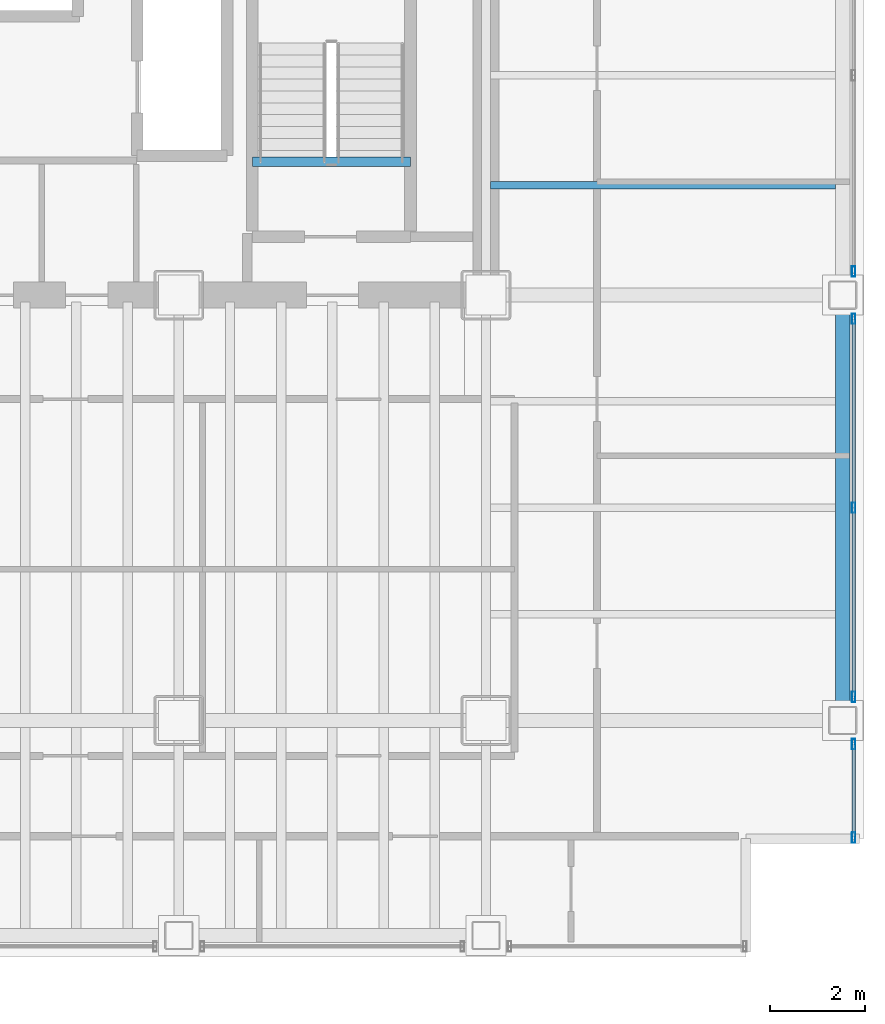
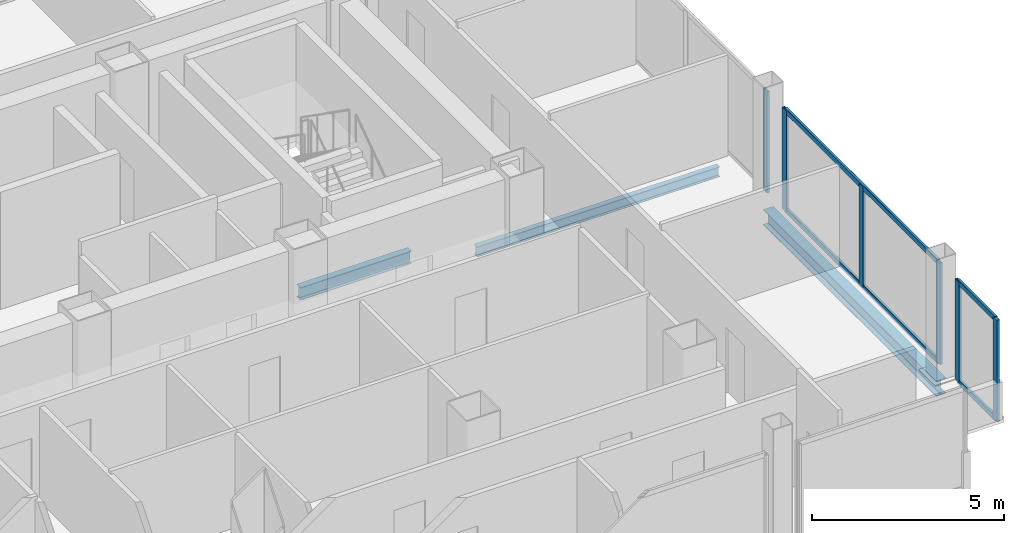
# One storey, part 11 of 21: 10 members, 3 beams, 3 elements without a shape of their own.
"""IFC4 building model written with IfcOpenShell, lengths in metres."""

from ifc_helpers import new_model, si_unit, direction, frame, origin, origin_2d, place, context, subcontext, project, spatial, hollow_rectangle, i_section, extrude, material, material_profile, profile_set, type_object, element, aggregate, save


model = new_model("IFC4")

# Units and contexts
model_context = context("Model", 3, precision=1e-05, world=origin(), true_north=direction((0.0, 1.0)))
body_context = subcontext(model_context, "Body", "Model", "MODEL_VIEW")
ifc_project = project(units=[si_unit("LENGTHUNIT", "METRE"), si_unit("AREAUNIT", "SQUARE_METRE"), si_unit("VOLUMEUNIT", "CUBIC_METRE"), si_unit("PLANEANGLEUNIT", "RADIAN"), si_unit("MASSUNIT", "GRAM", prefix="KILO")], contexts=[model_context])

# Site, building, storey
site_placement = place(None, origin())
site = spatial("IfcSite", under=ifc_project, at=site_placement, CompositionType="ELEMENT")
building_placement = place(site_placement, origin())
building = spatial("IfcBuilding", under=site, at=building_placement, Name="Noeulbin Bourse Tower", CompositionType="ELEMENT")
storey_placement = place(building_placement, frame((0.0, 0.0, 46.0)))
storey = spatial("IfcBuildingStorey", under=building, at=storey_placement, Name="L11", CompositionType="ELEMENT", Elevation=46.0)

# Beams
ifc_material_1 = material(Name="Steel S355", Category="steel")
ifc_material_profile_1 = material_profile(ifc_material_1, i_section(OverallWidth=0.159912109375, OverallDepth=0.320068359375, WebThickness=0.006591796875, FlangeThickness=0.010009765625, FilletRadius=0.012939453125, at=origin_2d()), Name="H-320x160x6.5x10", Category="LoadBearing")
ifc_profile_set_1 = profile_set([ifc_material_profile_1], Name="Steel S355")
beam_type_1 = type_object("IfcBeamType", Name="BM-JST-320", PredefinedType="JOIST", material=ifc_profile_set_1)
beam_1_placement = place(storey_placement, frame((44.10009765625, 31.324951171875, -0.340087890625), z_axis=(1.0, 0.0, 0.0), x_axis=(0.0, 1.0, 0.0)))
element("IfcBeam", 1, at=beam_1_placement, inside=storey, type_object=beam_type_1, Name="Wing Composite Joist L11-E79", PredefinedType="JOIST", context=body_context, shape_type="SweptSolid", body=[
    extrude(i_section(OverallWidth=0.159912109375, OverallDepth=0.320068359375, WebThickness=0.006591796875, FlangeThickness=0.010009765625, FilletRadius=0.012939453125, at=origin_2d()), origin(), (0.0, 0.0, 1.0), 7.2998046875),
])
ifc_material_profile_2 = material_profile(ifc_material_1, i_section(OverallWidth=0.199951171875, OverallDepth=0.39990234375, WebThickness=0.008056640625, FlangeThickness=0.012939453125, FilletRadius=0.01611328125, at=origin_2d()), Name="H-400x200x8x13", Category="LoadBearing")
ifc_profile_set_2 = profile_set([ifc_material_profile_2], Name="Steel S355")
beam_type_2 = type_object("IfcBeamType", Name="BM-SEC-400", PredefinedType="BEAM", material=ifc_profile_set_2)
beam_2_placement = place(storey_placement, frame((39.06005859375, 31.820068359375, -0.199951171875), z_axis=(1.0, 0.0, 0.0), x_axis=(0.0, 1.0, 0.0)))
element("IfcBeam", 2, at=beam_2_placement, inside=storey, type_object=beam_type_2, Name="Stair Threshold Trimmer Beam ST2-L11", PredefinedType="BEAM", context=body_context, shape_type="SweptSolid", body=[
    extrude(i_section(OverallWidth=0.199951171875, OverallDepth=0.39990234375, WebThickness=0.008056640625, FlangeThickness=0.012939453125, FilletRadius=0.01611328125, at=origin_2d()), origin(), (0.0, 0.0, 1.0), 3.33984375),
])
ifc_material_profile_3 = material_profile(ifc_material_1, i_section(OverallWidth=0.300048828125, OverallDepth=0.488037109375, WebThickness=0.010986328125, FlangeThickness=0.01806640625, FilletRadius=0.02197265625, at=origin_2d()), Name="H-488x300x11x18", Category="LoadBearing")
ifc_profile_set_3 = profile_set([ifc_material_profile_3], Name="Steel S355")
beam_type_3 = type_object("IfcBeamType", Name="BM-SPN-488", PredefinedType="SPANDREL", material=ifc_profile_set_3)
beam_3_placement = place(storey_placement, frame((51.550048828125, 20.0, -0.424072265625), z_axis=(0.0, 1.0, 0.0), x_axis=(-1.0, 0.0, 0.0)))
element("IfcBeam", 3, at=beam_3_placement, inside=storey, type_object=beam_type_3, Name="East Spandrel L11-1", PredefinedType="SPANDREL", context=body_context, shape_type="SweptSolid", body=[
    extrude(i_section(OverallWidth=0.300048828125, OverallDepth=0.488037109375, WebThickness=0.010986328125, FlangeThickness=0.01806640625, FilletRadius=0.02197265625, at=origin_2d()), origin(), (0.0, 0.0, 1.0), 9.0),
])

# Curtain wall, members
ifc_material_2 = material(Name="Dark Solar-Control Double Glazing", Category="glass")
curtain_wall_type = type_object("IfcCurtainWallType", Name="CW-SYS-2", PredefinedType="NOTDEFINED", material=ifc_material_2)
curtain_wall_1_placement = place(storey_placement, origin())
curtain_wall_1 = element("IfcCurtainWall", 4, at=curtain_wall_1_placement, inside=storey, type_object=curtain_wall_type, Name="Unitised Curtain Wall CW-L11-E-S1", PredefinedType="NOTDEFINED")
ifc_material_3 = material(Name="Anodised Aluminium 6063-T6", Category="aluminium")
ifc_material_profile_4 = material_profile(ifc_material_3, hollow_rectangle(XDim=0.074951171875, YDim=0.219970703125, WallThickness=0.0048828125, InnerFilletRadius=0.00244140625, OuterFilletRadius=0.0048828125, at=origin_2d()), Name="ALU-MULL-75x220x5", Category="LoadBearing")
ifc_profile_set_4 = profile_set([ifc_material_profile_4], Name="Anodised Aluminium 6063-T6")
member_type_1 = type_object("IfcMemberType", Name="CW-SYS-2-MUL", PredefinedType="MULLION", material=ifc_profile_set_4)
member_1_placement = place(storey_placement, frame((51.780029296875, 17.52001953125, -0.02001953125), z_axis=(0.0, 0.0, 1.0), x_axis=(1.0, 0.0, 0.0)))
member_1 = element("IfcMember", 5, at=member_1_placement, type_object=member_type_1, Name="Curtain Wall Mullion CW-L11-E-S1-M00", PredefinedType="MULLION", context=body_context, shape_type="SweptSolid", body=[
    extrude(hollow_rectangle(XDim=0.074951171875, YDim=0.219970703125, WallThickness=0.0048828125, InnerFilletRadius=0.00244140625, OuterFilletRadius=0.0048828125, at=origin_2d()), origin(), (0.0, 0.0, 1.0), 3.219970703125),
])
member_2_placement = place(storey_placement, frame((51.780029296875, 19.5, -0.02001953125), z_axis=(0.0, 0.0, 1.0), x_axis=(1.0, 0.0, 0.0)))
member_2 = element("IfcMember", 6, at=member_2_placement, type_object=member_type_1, Name="Curtain Wall Mullion CW-L11-E-S1-M01", PredefinedType="MULLION", context=body_context, shape_type="SweptSolid", body=[
    extrude(hollow_rectangle(XDim=0.074951171875, YDim=0.219970703125, WallThickness=0.0048828125, InnerFilletRadius=0.00244140625, OuterFilletRadius=0.0048828125, at=origin_2d()), origin(), (0.0, 0.0, 1.0), 3.219970703125),
])

curtain_wall_2_placement = place(storey_placement, origin())
curtain_wall_2 = element("IfcCurtainWall", 7, at=curtain_wall_2_placement, inside=storey, type_object=curtain_wall_type, Name="Unitised Curtain Wall CW-L11-E-S2", PredefinedType="NOTDEFINED")
member_3_placement = place(storey_placement, frame((51.780029296875, 20.5, -0.02001953125), z_axis=(0.0, 0.0, 1.0), x_axis=(1.0, 0.0, 0.0)))
member_3 = element("IfcMember", 8, at=member_3_placement, type_object=member_type_1, Name="Curtain Wall Mullion CW-L11-E-S2-M00", PredefinedType="MULLION", context=body_context, shape_type="SweptSolid", body=[
    extrude(hollow_rectangle(XDim=0.074951171875, YDim=0.219970703125, WallThickness=0.0048828125, InnerFilletRadius=0.00244140625, OuterFilletRadius=0.0048828125, at=origin_2d()), origin(), (0.0, 0.0, 1.0), 3.219970703125),
])
member_4_placement = place(storey_placement, frame((51.780029296875, 24.5, -0.02001953125), z_axis=(0.0, 0.0, 1.0), x_axis=(1.0, 0.0, 0.0)))
member_4 = element("IfcMember", 9, at=member_4_placement, type_object=member_type_1, Name="Curtain Wall Mullion CW-L11-E-S2-M01", PredefinedType="MULLION", context=body_context, shape_type="SweptSolid", body=[
    extrude(hollow_rectangle(XDim=0.074951171875, YDim=0.219970703125, WallThickness=0.0048828125, InnerFilletRadius=0.00244140625, OuterFilletRadius=0.0048828125, at=origin_2d()), origin(), (0.0, 0.0, 1.0), 3.219970703125),
])
member_5_placement = place(storey_placement, frame((51.780029296875, 28.5, -0.02001953125), z_axis=(0.0, 0.0, 1.0), x_axis=(1.0, 0.0, 0.0)))
member_5 = element("IfcMember", 10, at=member_5_placement, type_object=member_type_1, Name="Curtain Wall Mullion CW-L11-E-S2-M02", PredefinedType="MULLION", context=body_context, shape_type="SweptSolid", body=[
    extrude(hollow_rectangle(XDim=0.074951171875, YDim=0.219970703125, WallThickness=0.0048828125, InnerFilletRadius=0.00244140625, OuterFilletRadius=0.0048828125, at=origin_2d()), origin(), (0.0, 0.0, 1.0), 3.219970703125),
])

# Curtain wall, member
curtain_wall_3_placement = place(storey_placement, origin())
curtain_wall_3 = element("IfcCurtainWall", 11, at=curtain_wall_3_placement, inside=storey, type_object=curtain_wall_type, Name="Unitised Curtain Wall CW-L11-E-S3", PredefinedType="NOTDEFINED")
member_6_placement = place(storey_placement, frame((51.780029296875, 29.5, -0.02001953125), z_axis=(0.0, 0.0, 1.0), x_axis=(1.0, 0.0, 0.0)))
member_6 = element("IfcMember", 12, at=member_6_placement, type_object=member_type_1, Name="Curtain Wall Mullion CW-L11-E-S3-M00", PredefinedType="MULLION", context=body_context, shape_type="SweptSolid", body=[
    extrude(hollow_rectangle(XDim=0.074951171875, YDim=0.219970703125, WallThickness=0.0048828125, InnerFilletRadius=0.00244140625, OuterFilletRadius=0.0048828125, at=origin_2d()), origin(), (0.0, 0.0, 1.0), 3.219970703125),
])
aggregate(curtain_wall_3, [member_6])

# Member
ifc_material_profile_5 = material_profile(ifc_material_3, hollow_rectangle(XDim=0.074951171875, YDim=0.159912109375, WallThickness=0.0048828125, InnerFilletRadius=0.00244140625, OuterFilletRadius=0.0048828125, at=origin_2d()), Name="ALU-TRAN-75x160x5", Category="LoadBearing")
ifc_profile_set_5 = profile_set([ifc_material_profile_5], Name="Anodised Aluminium 6063-T6")
member_type_2 = type_object("IfcMemberType", Name="CW-SYS-2-TRN", PredefinedType="USERDEFINED", material=ifc_profile_set_5)
member_7_placement = place(storey_placement, frame((51.780029296875, 17.530029296875, 0.010009765625), z_axis=(0.0, 1.0, 0.0), x_axis=(-1.0, 0.0, 0.0)))
member_7 = element("IfcMember", 13, at=member_7_placement, type_object=member_type_2, Name="Curtain Wall Transom CW-L11-E-S1-T00", ObjectType="TRANSOM", PredefinedType="USERDEFINED", context=body_context, shape_type="SweptSolid", body=[
    extrude(hollow_rectangle(XDim=0.074951171875, YDim=0.159912109375, WallThickness=0.0048828125, InnerFilletRadius=0.00244140625, OuterFilletRadius=0.0048828125, at=origin_2d()), origin(), (0.0, 0.0, 1.0), 1.9599609375),
])

member_8_placement = place(storey_placement, frame((51.780029296875, 17.530029296875, 3.169921875), z_axis=(0.0, 1.0, 0.0), x_axis=(-1.0, 0.0, 0.0)))
member_8 = element("IfcMember", 14, at=member_8_placement, type_object=member_type_2, Name="Curtain Wall Transom CW-L11-E-S1-T01", ObjectType="TRANSOM", PredefinedType="USERDEFINED", context=body_context, shape_type="SweptSolid", body=[
    extrude(hollow_rectangle(XDim=0.074951171875, YDim=0.159912109375, WallThickness=0.0048828125, InnerFilletRadius=0.00244140625, OuterFilletRadius=0.0048828125, at=origin_2d()), origin(), (0.0, 0.0, 1.0), 1.9599609375),
])

aggregate(curtain_wall_1, [member_1, member_2, member_7, member_8])

member_9_placement = place(storey_placement, frame((51.780029296875, 20.510009765625, 0.010009765625), z_axis=(0.0, 1.0, 0.0), x_axis=(-1.0, 0.0, 0.0)))
member_9 = element("IfcMember", 15, at=member_9_placement, type_object=member_type_2, Name="Curtain Wall Transom CW-L11-E-S2-T00", ObjectType="TRANSOM", PredefinedType="USERDEFINED", context=body_context, shape_type="SweptSolid", body=[
    extrude(hollow_rectangle(XDim=0.074951171875, YDim=0.159912109375, WallThickness=0.0048828125, InnerFilletRadius=0.00244140625, OuterFilletRadius=0.0048828125, at=origin_2d()), origin(), (0.0, 0.0, 1.0), 7.97998046875),
])

member_10_placement = place(storey_placement, frame((51.780029296875, 20.510009765625, 3.169921875), z_axis=(0.0, 1.0, 0.0), x_axis=(-1.0, 0.0, 0.0)))
member_10 = element("IfcMember", 16, at=member_10_placement, type_object=member_type_2, Name="Curtain Wall Transom CW-L11-E-S2-T01", ObjectType="TRANSOM", PredefinedType="USERDEFINED", context=body_context, shape_type="SweptSolid", body=[
    extrude(hollow_rectangle(XDim=0.074951171875, YDim=0.159912109375, WallThickness=0.0048828125, InnerFilletRadius=0.00244140625, OuterFilletRadius=0.0048828125, at=origin_2d()), origin(), (0.0, 0.0, 1.0), 7.97998046875),
])

aggregate(curtain_wall_2, [member_3, member_4, member_5, member_9, member_10])

save(model, "model.ifc")
